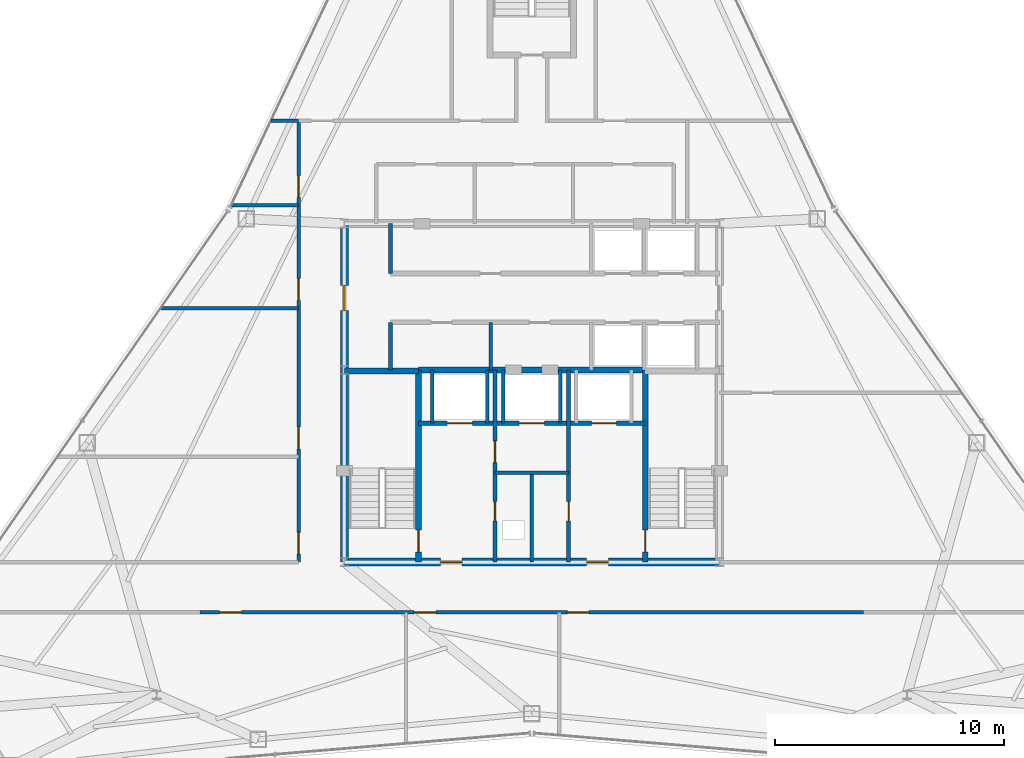
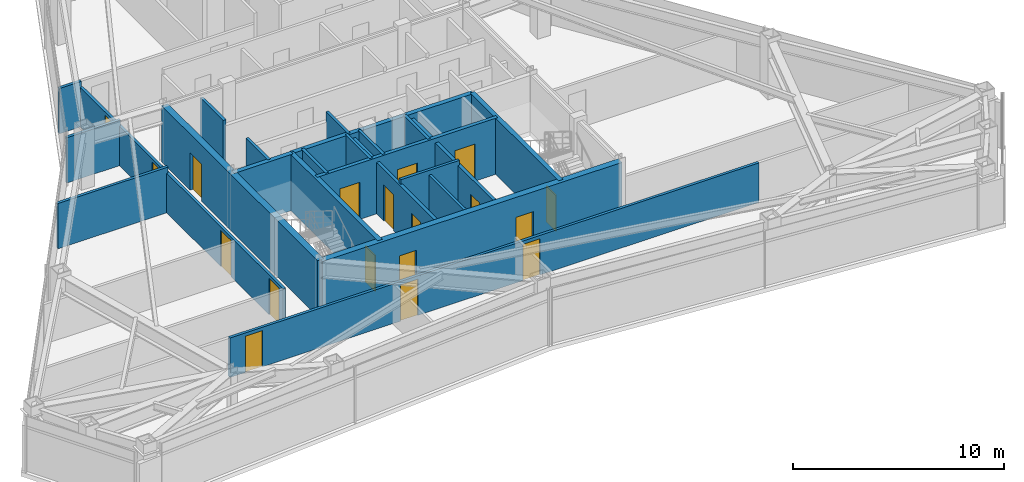
# One storey, part 9 of 12: 23 walls, 18 doors, 18 openings.
"""IFC4 building model written with IfcOpenShell, lengths in metres."""

from ifc_helpers import new_model, si_unit, direction, frame, frame_2d, origin, place, context, subcontext, project, spatial, rectangle, extrude, material, layer, layer_set, type_object, element, fill, save


model = new_model("IFC4")

# Units and contexts
model_context = context("Model", 3, precision=1e-05, world=origin(), true_north=direction((0.0, 1.0)))
body_context = subcontext(model_context, "Body", "Model", "MODEL_VIEW")
ifc_project = project(units=[si_unit("LENGTHUNIT", "METRE"), si_unit("AREAUNIT", "SQUARE_METRE"), si_unit("VOLUMEUNIT", "CUBIC_METRE"), si_unit("PLANEANGLEUNIT", "RADIAN"), si_unit("MASSUNIT", "GRAM", prefix="KILO")], contexts=[model_context])

# Site, building, storey
site_placement = place(None, origin())
site = spatial("IfcSite", under=ifc_project, at=site_placement, CompositionType="ELEMENT")
building_placement = place(site_placement, origin())
building = spatial("IfcBuilding", under=site, at=building_placement, Name="Varakhsha Concourse Tower", CompositionType="ELEMENT")
storey_placement = place(building_placement, frame((0.0, 0.0, 229.39990234375)))
storey = spatial("IfcBuildingStorey", under=building, at=storey_placement, Name="L65", CompositionType="ELEMENT", Elevation=229.39990234375)

# Wall, openings, doors
ifc_material_1 = material(Name="Concrete fc 65 MPa", Category="concrete")
ifc_layer_1 = layer(ifc_material_1, 0.35009765625, Name="WL-CORE-350")
ifc_layer_set_1 = layer_set([ifc_layer_1], Name="Concrete fc 65 MPa")
wall_type_1 = type_object("IfcWallType", Name="WL-CORE-350", PredefinedType="SHEAR", material=ifc_layer_set_1)
wall_1_placement = place(storey_placement, frame((31.800048828125, 16.39990234375, 0.0), z_axis=(0.0, 0.0, 1.0), x_axis=(1.0, 0.0, 0.0)))
wall_1 = element("IfcWall", 1, at=wall_1_placement, inside=storey, type_object=wall_type_1, Name="L65 Wall CWALL-S-L65", PredefinedType="SHEAR", context=body_context, shape_type="SweptSolid", body=[
    extrude(rectangle(XDim=16.39990234375, YDim=0.35009765625, at=frame_2d((8.199951171875, 0.0))), origin(), (0.0, 0.0, 1.0), 3.25),
])
opening_1_placement = place(wall_1_placement, frame((4.199951171875, 0.0, 0.0)))
opening_1 = element("IfcOpeningElement", 2, at=opening_1_placement, cuts=wall_1, Name="Opening DF-05", PredefinedType="OPENING", context=body_context, shape_type="SweptSolid", body=[
    extrude(rectangle(XDim=0.949951171875, YDim=2.10009765625, at=frame_2d((0.47509765625, 1.050048828125))), frame((0.0, 0.18505859375, 0.0), z_axis=(0.0, -1.0, 0.0), x_axis=(1.0, 0.0, 0.0)), (0.0, 0.0, 1.0), 0.3701171875),
])
opening_2_placement = place(wall_1_placement, frame((10.60009765625, 0.0, 0.0)))
opening_2 = element("IfcOpeningElement", 3, at=opening_2_placement, cuts=wall_1, Name="Opening DF-05", PredefinedType="OPENING", context=body_context, shape_type="SweptSolid", body=[
    extrude(rectangle(XDim=0.949951171875, YDim=2.10009765625, at=frame_2d((0.47509765625, 1.050048828125))), frame((0.0, 0.18505859375, 0.0), z_axis=(0.0, -1.0, 0.0), x_axis=(1.0, 0.0, 0.0)), (0.0, 0.0, 1.0), 0.3701171875),
])
ifc_material_2 = material(Name="Hollow Galvanised Steel Fire Door Assembly", Category="steel")
door_type_1 = type_object("IfcDoorType", Name="DR-FD60-950", OperationType="NOTDEFINED", PredefinedType="DOOR", material=ifc_material_2)
door_1_placement = place(opening_1_placement, origin())
door_1 = element("IfcDoor", 4, at=door_1_placement, inside=storey, type_object=door_type_1, Name="L65 Firefighting Lobby West Door", OperationType="SINGLE_SWING_RIGHT", OverallHeight=2.10009765625, OverallWidth=0.949951171875, PredefinedType="DOOR", context=body_context, shape_type="SweptSolid", body=[
    extrude(rectangle(XDim=0.949951171875, YDim=2.10009765625, at=frame_2d((0.47509765625, 1.050048828125))), frame((0.0, 0.02490234375, 0.0), z_axis=(0.0, -1.0, 0.0), x_axis=(1.0, 0.0, 0.0)), (0.0, 0.0, 1.0), 0.050048828125),
])
fill(opening_1, door_1)
door_2_placement = place(opening_2_placement, origin())
door_2 = element("IfcDoor", 5, at=door_2_placement, inside=storey, type_object=door_type_1, Name="L65 Firefighting Lobby East Door", OperationType="SINGLE_SWING_LEFT", OverallHeight=2.10009765625, OverallWidth=0.949951171875, PredefinedType="DOOR", context=body_context, shape_type="SweptSolid", body=[
    extrude(rectangle(XDim=0.949951171875, YDim=2.10009765625, at=frame_2d((0.47509765625, 1.050048828125))), frame((0.0, 0.02490234375, 0.0), z_axis=(0.0, -1.0, 0.0), x_axis=(1.0, 0.0, 0.0)), (0.0, 0.0, 1.0), 0.050048828125),
])
fill(opening_2, door_2)

# Wall, opening, door
wall_2_placement = place(storey_placement, frame((31.800048828125, 16.39990234375, 0.0), z_axis=(0.0, 0.0, 1.0), x_axis=(0.0, 1.0, 0.0)))
wall_2 = element("IfcWall", 6, at=wall_2_placement, inside=storey, type_object=wall_type_1, Name="L65 Wall CWALL-W-L65", PredefinedType="SHEAR", context=body_context, shape_type="SweptSolid", body=[
    extrude(rectangle(XDim=14.800048828125, YDim=0.35009765625, at=frame_2d((7.39990234375, 0.0))), origin(), (0.0, 0.0, 1.0), 3.25),
])
opening_3_placement = place(wall_2_placement, frame((11.0, 0.0, 0.0)))
opening_3 = element("IfcOpeningElement", 7, at=opening_3_placement, cuts=wall_2, Name="Opening DL-01", PredefinedType="OPENING", context=body_context, shape_type="SweptSolid", body=[
    extrude(rectangle(XDim=1.10009765625, YDim=2.14990234375, at=frame_2d((0.550048828125, 1.074951171875))), frame((0.0, 0.18505859375, 0.0), z_axis=(0.0, -1.0, 0.0), x_axis=(1.0, 0.0, 0.0)), (0.0, 0.0, 1.0), 0.3701171875),
])
ifc_material_3 = material(Name="Anodised Bronze Architectural Aluminium AA 6063-T6", Category="aluminium")
door_type_2 = type_object("IfcDoorType", Name="DR-LOB-1100", OperationType="NOTDEFINED", PredefinedType="DOOR", material=ifc_material_3)
door_3_placement = place(opening_3_placement, origin())
door_3 = element("IfcDoor", 8, at=door_3_placement, inside=storey, type_object=door_type_2, Name="L65 Lift Lobby West Concourse Door", OperationType="SINGLE_SWING_LEFT", OverallHeight=2.14990234375, OverallWidth=1.10009765625, PredefinedType="DOOR", context=body_context, shape_type="SweptSolid", body=[
    extrude(rectangle(XDim=1.10009765625, YDim=2.14990234375, at=frame_2d((0.550048828125, 1.074951171875))), frame((0.0, 0.02490234375, 0.0), z_axis=(0.0, -1.0, 0.0), x_axis=(1.0, 0.0, 0.0)), (0.0, 0.0, 1.0), 0.050048828125),
])
fill(opening_3, door_3)

# Wall, openings, doors
ifc_material_4 = material(Name="Fire-Rated Type X Gypsum Partition Assembly", Category="gypsum")
ifc_layer_2 = layer(ifc_material_4, 0.179931640625, Name="WL-FFLOB-180")
ifc_layer_set_2 = layer_set([ifc_layer_2], Name="Fire-Rated Type X Gypsum Partition Assembly")
wall_type_2 = type_object("IfcWallType", Name="WL-FFLOB-180", PredefinedType="PARTITIONING", material=ifc_layer_set_2)
wall_3_placement = place(storey_placement, frame((38.389892578125, 16.39990234375, 0.0), z_axis=(0.0, 0.0, 1.0), x_axis=(0.0, 1.0, 0.0)))
wall_3 = element("IfcWall", 9, at=wall_3_placement, inside=storey, type_object=wall_type_2, Name="L65 Wall FFW-1E-L65", PredefinedType="PARTITIONING", context=body_context, shape_type="SweptSolid", body=[
    extrude(rectangle(XDim=8.400146484375, YDim=0.179931640625, at=frame_2d((4.2001953125, 0.0))), origin(), (0.0, 0.0, 1.0), 2.97802734375),
])
opening_4_placement = place(wall_3_placement, frame((1.800048828125, 0.0, 0.0)))
opening_4 = element("IfcOpeningElement", 10, at=opening_4_placement, cuts=wall_3, Name="Opening DF-07", PredefinedType="OPENING", context=body_context, shape_type="SweptSolid", body=[
    extrude(rectangle(XDim=0.85009765625, YDim=2.050048828125, at=frame_2d((0.425048828125, 1.02490234375))), frame((0.0, 0.099853515625, 0.0), z_axis=(0.0, -1.0, 0.0), x_axis=(1.0, 0.0, 0.0)), (0.0, 0.0, 1.0), 0.199951171875),
])
opening_5_placement = place(wall_3_placement, frame((4.35009765625, 0.0, 0.0)))
opening_5 = element("IfcOpeningElement", 11, at=opening_5_placement, cuts=wall_3, Name="Opening DF-05", PredefinedType="OPENING", context=body_context, shape_type="SweptSolid", body=[
    extrude(rectangle(XDim=0.949951171875, YDim=2.10009765625, at=frame_2d((0.47509765625, 1.050048828125))), frame((0.0, 0.099853515625, 0.0), z_axis=(0.0, -1.0, 0.0), x_axis=(1.0, 0.0, 0.0)), (0.0, 0.0, 1.0), 0.199951171875),
])
door_type_3 = type_object("IfcDoorType", Name="DR-FD60-850", OperationType="NOTDEFINED", PredefinedType="DOOR", material=ifc_material_2)
door_4_placement = place(opening_4_placement, origin())
door_4 = element("IfcDoor", 12, at=door_4_placement, inside=storey, type_object=door_type_3, Name="L65 Power Metering Closet Door", OperationType="SINGLE_SWING_LEFT", OverallHeight=2.050048828125, OverallWidth=0.85009765625, PredefinedType="DOOR", context=body_context, shape_type="SweptSolid", body=[
    extrude(rectangle(XDim=0.85009765625, YDim=2.050048828125, at=frame_2d((0.425048828125, 1.02490234375))), frame((0.0, 0.02490234375, 0.0), z_axis=(0.0, -1.0, 0.0), x_axis=(1.0, 0.0, 0.0)), (0.0, 0.0, 1.0), 0.050048828125),
])
fill(opening_4, door_4)
door_5_placement = place(opening_5_placement, origin())
door_5 = element("IfcDoor", 13, at=door_5_placement, inside=storey, type_object=door_type_1, Name="L65 Service Vestibule Door", OperationType="SINGLE_SWING_RIGHT", OverallHeight=2.10009765625, OverallWidth=0.949951171875, PredefinedType="DOOR", context=body_context, shape_type="SweptSolid", body=[
    extrude(rectangle(XDim=0.949951171875, YDim=2.10009765625, at=frame_2d((0.47509765625, 1.050048828125))), frame((0.0, 0.02490234375, 0.0), z_axis=(0.0, -1.0, 0.0), x_axis=(1.0, 0.0, 0.0)), (0.0, 0.0, 1.0), 0.050048828125),
])
fill(opening_5, door_5)

# Wall, opening, door
wall_4_placement = place(storey_placement, frame((41.610107421875, 16.39990234375, 0.0), z_axis=(0.0, 0.0, 1.0), x_axis=(0.0, 1.0, 0.0)))
wall_4 = element("IfcWall", 14, at=wall_4_placement, inside=storey, type_object=wall_type_2, Name="L65 Wall FFW-2W-L65", PredefinedType="PARTITIONING", context=body_context, shape_type="SweptSolid", body=[
    extrude(rectangle(XDim=8.400146484375, YDim=0.179931640625, at=frame_2d((4.2001953125, 0.0))), origin(), (0.0, 0.0, 1.0), 2.97802734375),
])
opening_6_placement = place(wall_4_placement, frame((1.800048828125, 0.0, 0.0)))
opening_6 = element("IfcOpeningElement", 15, at=opening_6_placement, cuts=wall_4, Name="Opening DF-07", PredefinedType="OPENING", context=body_context, shape_type="SweptSolid", body=[
    extrude(rectangle(XDim=0.85009765625, YDim=2.050048828125, at=frame_2d((0.425048828125, 1.02490234375))), frame((0.0, 0.099853515625, 0.0), z_axis=(0.0, -1.0, 0.0), x_axis=(1.0, 0.0, 0.0)), (0.0, 0.0, 1.0), 0.199951171875),
])
door_6_placement = place(opening_6_placement, origin())
door_6 = element("IfcDoor", 16, at=door_6_placement, inside=storey, type_object=door_type_3, Name="L65 BMS Control Closet Door", OperationType="SINGLE_SWING_RIGHT", OverallHeight=2.050048828125, OverallWidth=0.85009765625, PredefinedType="DOOR", context=body_context, shape_type="SweptSolid", body=[
    extrude(rectangle(XDim=0.85009765625, YDim=2.050048828125, at=frame_2d((0.425048828125, 1.02490234375))), frame((0.0, 0.02490234375, 0.0), z_axis=(0.0, -1.0, 0.0), x_axis=(1.0, 0.0, 0.0)), (0.0, 0.0, 1.0), 0.050048828125),
])
fill(opening_6, door_6)

# Walls
ifc_layer_3 = layer(ifc_material_4, 0.14990234375, Name="WL-PART-150")
ifc_layer_set_3 = layer_set([ifc_layer_3], Name="Fire-Rated Type X Gypsum Partition Assembly")
wall_type_3 = type_object("IfcWallType", Name="WL-PART-150", PredefinedType="PARTITIONING", material=ifc_layer_set_3)
wall_5_placement = place(storey_placement, frame((38.389892578125, 20.300048828125, 0.0), z_axis=(0.0, 0.0, 1.0), x_axis=(1.0, 0.0, 0.0)))
element("IfcWall", 17, at=wall_5_placement, inside=storey, type_object=wall_type_3, Name="L65 Wall RSW-TH-L65", PredefinedType="PARTITIONING", context=body_context, shape_type="SweptSolid", body=[
    extrude(rectangle(XDim=3.22021484375, YDim=0.14990234375, at=frame_2d((1.610107421875, 0.0))), origin(), (0.0, 0.0, 1.0), 3.25),
])
wall_6_placement = place(storey_placement, frame((40.0, 16.39990234375, 0.0), z_axis=(0.0, 0.0, 1.0), x_axis=(0.0, 1.0, 0.0)))
element("IfcWall", 18, at=wall_6_placement, inside=storey, type_object=wall_type_3, Name="L65 Wall RSW-TV-L65", PredefinedType="PARTITIONING", context=body_context, shape_type="SweptSolid", body=[
    extrude(rectangle(XDim=3.900146484375, YDim=0.14990234375, at=frame_2d((1.9501953125, 0.0))), origin(), (0.0, 0.0, 1.0), 2.97802734375),
])
wall_7_placement = place(storey_placement, frame((38.199951171875, 24.800048828125, 0.0), z_axis=(0.0, 0.0, 1.0), x_axis=(0.0, 1.0, 0.0)))
element("IfcWall", 19, at=wall_7_placement, inside=storey, type_object=wall_type_3, Name="L65 Wall P2F-D1-L65", PredefinedType="PARTITIONING", context=body_context, shape_type="SweptSolid", body=[
    extrude(rectangle(XDim=2.079833984375, YDim=0.14990234375, at=frame_2d((1.0400390625, 0.0))), origin(), (0.0, 0.0, 1.0), 3.25),
])

# Wall, openings, doors
wall_8_placement = place(storey_placement, frame((29.800048828125, 16.39990234375, 0.0), z_axis=(0.0, 0.0, 1.0), x_axis=(0.0, 1.0, 0.0)))
wall_8 = element("IfcWall", 20, at=wall_8_placement, inside=storey, type_object=wall_type_3, Name="L65 Wall CRW-W-L65", PredefinedType="PARTITIONING", context=body_context, shape_type="SweptSolid", body=[
    extrude(rectangle(XDim=19.300048828125, YDim=0.14990234375, at=frame_2d((9.64990234375, 0.0))), origin(), (0.0, 0.0, 1.0), 2.2919921875),
])
opening_7_placement = place(wall_8_placement, frame((0.35009765625, 0.0, 0.0)))
opening_7 = element("IfcOpeningElement", 21, at=opening_7_placement, cuts=wall_8, Name="Opening DF-05", PredefinedType="OPENING", context=body_context, shape_type="SweptSolid", body=[
    extrude(rectangle(XDim=0.949951171875, YDim=2.10009765625, at=frame_2d((0.47509765625, 1.050048828125))), frame((0.0, 0.0849609375, 0.0), z_axis=(0.0, -1.0, 0.0), x_axis=(1.0, 0.0, 0.0)), (0.0, 0.0, 1.0), 0.169921875),
])
opening_8_placement = place(wall_8_placement, frame((4.949951171875, 0.0, 0.0)))
opening_8 = element("IfcOpeningElement", 22, at=opening_8_placement, cuts=wall_8, Name="Opening DF-05", PredefinedType="OPENING", context=body_context, shape_type="SweptSolid", body=[
    extrude(rectangle(XDim=0.949951171875, YDim=2.10009765625, at=frame_2d((0.47509765625, 1.050048828125))), frame((0.0, 0.0849609375, 0.0), z_axis=(0.0, -1.0, 0.0), x_axis=(1.0, 0.0, 0.0)), (0.0, 0.0, 1.0), 0.169921875),
])
opening_9_placement = place(wall_8_placement, frame((11.449951171875, 0.0, 0.0)))
opening_9 = element("IfcOpeningElement", 23, at=opening_9_placement, cuts=wall_8, Name="Opening DF-05", PredefinedType="OPENING", context=body_context, shape_type="SweptSolid", body=[
    extrude(rectangle(XDim=0.949951171875, YDim=2.10009765625, at=frame_2d((0.47509765625, 1.050048828125))), frame((0.0, 0.0849609375, 0.0), z_axis=(0.0, -1.0, 0.0), x_axis=(1.0, 0.0, 0.0)), (0.0, 0.0, 1.0), 0.169921875),
])
opening_10_placement = place(wall_8_placement, frame((15.949951171875, 0.0, 0.0)))
opening_10 = element("IfcOpeningElement", 24, at=opening_10_placement, cuts=wall_8, Name="Opening DF-05", PredefinedType="OPENING", context=body_context, shape_type="SweptSolid", body=[
    extrude(rectangle(XDim=0.949951171875, YDim=2.10009765625, at=frame_2d((0.47509765625, 1.050048828125))), frame((0.0, 0.0849609375, 0.0), z_axis=(0.0, -1.0, 0.0), x_axis=(1.0, 0.0, 0.0)), (0.0, 0.0, 1.0), 0.169921875),
])
door_7_placement = place(opening_7_placement, origin())
door_7 = element("IfcDoor", 25, at=door_7_placement, inside=storey, type_object=door_type_1, Name="L65 Town-Hall Innovation Lounge L65 Door", OperationType="SINGLE_SWING_RIGHT", OverallHeight=2.10009765625, OverallWidth=0.949951171875, PredefinedType="DOOR", context=body_context, shape_type="SweptSolid", body=[
    extrude(rectangle(XDim=0.949951171875, YDim=2.10009765625, at=frame_2d((0.47509765625, 1.050048828125))), frame((0.0, 0.02490234375, 0.0), z_axis=(0.0, -1.0, 0.0), x_axis=(1.0, 0.0, 0.0)), (0.0, 0.0, 1.0), 0.050048828125),
])
fill(opening_7, door_7)
door_8_placement = place(opening_8_placement, origin())
door_8 = element("IfcDoor", 26, at=door_8_placement, inside=storey, type_object=door_type_1, Name="L65 Hot-Desk Studio Neighborhood L65-W2 Door", OperationType="SINGLE_SWING_LEFT", OverallHeight=2.10009765625, OverallWidth=0.949951171875, PredefinedType="DOOR", context=body_context, shape_type="SweptSolid", body=[
    extrude(rectangle(XDim=0.949951171875, YDim=2.10009765625, at=frame_2d((0.47509765625, 1.050048828125))), frame((0.0, 0.02490234375, 0.0), z_axis=(0.0, -1.0, 0.0), x_axis=(1.0, 0.0, 0.0)), (0.0, 0.0, 1.0), 0.050048828125),
])
fill(opening_8, door_8)
door_9_placement = place(opening_9_placement, origin())
door_9 = element("IfcDoor", 27, at=door_9_placement, inside=storey, type_object=door_type_1, Name="L65 Hot-Desk Studio Neighborhood L65-W3 Door", OperationType="SINGLE_SWING_RIGHT", OverallHeight=2.10009765625, OverallWidth=0.949951171875, PredefinedType="DOOR", context=body_context, shape_type="SweptSolid", body=[
    extrude(rectangle(XDim=0.949951171875, YDim=2.10009765625, at=frame_2d((0.47509765625, 1.050048828125))), frame((0.0, 0.02490234375, 0.0), z_axis=(0.0, -1.0, 0.0), x_axis=(1.0, 0.0, 0.0)), (0.0, 0.0, 1.0), 0.050048828125),
])
fill(opening_9, door_9)
door_10_placement = place(opening_10_placement, origin())
door_10 = element("IfcDoor", 28, at=door_10_placement, inside=storey, type_object=door_type_1, Name="L65 Hot-Desk Studio Neighborhood L65-W4 Door", OperationType="SINGLE_SWING_LEFT", OverallHeight=2.10009765625, OverallWidth=0.949951171875, PredefinedType="DOOR", context=body_context, shape_type="SweptSolid", body=[
    extrude(rectangle(XDim=0.949951171875, YDim=2.10009765625, at=frame_2d((0.47509765625, 1.050048828125))), frame((0.0, 0.02490234375, 0.0), z_axis=(0.0, -1.0, 0.0), x_axis=(1.0, 0.0, 0.0)), (0.0, 0.0, 1.0), 0.050048828125),
])
fill(opening_10, door_10)

wall_9_placement = place(storey_placement, frame((25.5, 14.199951171875, 0.0), z_axis=(0.0, 0.0, 1.0), x_axis=(1.0, 0.0, 0.0)))
wall_9 = element("IfcWall", 29, at=wall_9_placement, inside=storey, type_object=wall_type_3, Name="L65 Wall CRW-S-DOOR-L65", PredefinedType="PARTITIONING", context=body_context, shape_type="SweptSolid", body=[
    extrude(rectangle(XDim=29.0, YDim=0.14990234375, at=frame_2d((14.5, 0.0))), origin(), (0.0, 0.0, 1.0), 2.2919921875),
])
opening_11_placement = place(wall_9_placement, frame((0.85009765625, 0.0, 0.0)))
opening_11 = element("IfcOpeningElement", 30, at=opening_11_placement, cuts=wall_9, Name="Opening DF-05", PredefinedType="OPENING", context=body_context, shape_type="SweptSolid", body=[
    extrude(rectangle(XDim=0.949951171875, YDim=2.10009765625, at=frame_2d((0.47509765625, 1.050048828125))), frame((0.0, 0.0849609375, 0.0), z_axis=(0.0, -1.0, 0.0), x_axis=(1.0, 0.0, 0.0)), (0.0, 0.0, 1.0), 0.169921875),
])
opening_12_placement = place(wall_9_placement, frame((9.35009765625, 0.0, 0.0)))
opening_12 = element("IfcOpeningElement", 31, at=opening_12_placement, cuts=wall_9, Name="Opening DF-05", PredefinedType="OPENING", context=body_context, shape_type="SweptSolid", body=[
    extrude(rectangle(XDim=0.949951171875, YDim=2.10009765625, at=frame_2d((0.47509765625, 1.050048828125))), frame((0.0, 0.0849609375, 0.0), z_axis=(0.0, -1.0, 0.0), x_axis=(1.0, 0.0, 0.0)), (0.0, 0.0, 1.0), 0.169921875),
])
opening_13_placement = place(wall_9_placement, frame((16.050048828125, 0.0, 0.0)))
opening_13 = element("IfcOpeningElement", 32, at=opening_13_placement, cuts=wall_9, Name="Opening DF-05", PredefinedType="OPENING", context=body_context, shape_type="SweptSolid", body=[
    extrude(rectangle(XDim=0.949951171875, YDim=2.10009765625, at=frame_2d((0.47509765625, 1.050048828125))), frame((0.0, 0.0849609375, 0.0), z_axis=(0.0, -1.0, 0.0), x_axis=(1.0, 0.0, 0.0)), (0.0, 0.0, 1.0), 0.169921875),
])
door_11_placement = place(opening_11_placement, origin())
door_11 = element("IfcDoor", 33, at=door_11_placement, inside=storey, type_object=door_type_1, Name="L65 Project Pitch Room L65-S1 Door", OperationType="SINGLE_SWING_LEFT", OverallHeight=2.10009765625, OverallWidth=0.949951171875, PredefinedType="DOOR", context=body_context, shape_type="SweptSolid", body=[
    extrude(rectangle(XDim=0.949951171875, YDim=2.10009765625, at=frame_2d((0.47509765625, 1.050048828125))), frame((0.0, 0.02490234375, 0.0), z_axis=(0.0, -1.0, 0.0), x_axis=(1.0, 0.0, 0.0)), (0.0, 0.0, 1.0), 0.050048828125),
])
fill(opening_11, door_11)
door_12_placement = place(opening_12_placement, origin())
door_12 = element("IfcDoor", 34, at=door_12_placement, inside=storey, type_object=door_type_1, Name="L65 Hot-Desk Studio Neighborhood L65-S2 Door", OperationType="SINGLE_SWING_RIGHT", OverallHeight=2.10009765625, OverallWidth=0.949951171875, PredefinedType="DOOR", context=body_context, shape_type="SweptSolid", body=[
    extrude(rectangle(XDim=0.949951171875, YDim=2.10009765625, at=frame_2d((0.47509765625, 1.050048828125))), frame((0.0, 0.02490234375, 0.0), z_axis=(0.0, -1.0, 0.0), x_axis=(1.0, 0.0, 0.0)), (0.0, 0.0, 1.0), 0.050048828125),
])
fill(opening_12, door_12)
door_13_placement = place(opening_13_placement, origin())
door_13 = element("IfcDoor", 35, at=door_13_placement, inside=storey, type_object=door_type_1, Name="L65 Hot-Desk Studio Neighborhood L65-S3 Door", OperationType="SINGLE_SWING_LEFT", OverallHeight=2.10009765625, OverallWidth=0.949951171875, PredefinedType="DOOR", context=body_context, shape_type="SweptSolid", body=[
    extrude(rectangle(XDim=0.949951171875, YDim=2.10009765625, at=frame_2d((0.47509765625, 1.050048828125))), frame((0.0, 0.02490234375, 0.0), z_axis=(0.0, -1.0, 0.0), x_axis=(1.0, 0.0, 0.0)), (0.0, 0.0, 1.0), 0.050048828125),
])
fill(opening_13, door_13)

# Walls
wall_10_placement = place(storey_placement, frame((28.59814453125, 35.699951171875, 0.0), z_axis=(0.0, 0.0, 1.0), x_axis=(1.0, 0.0, 0.0)))
element("IfcWall", 36, at=wall_10_placement, inside=storey, type_object=wall_type_3, Name="L65 Wall ODIV-WBN-L65", PredefinedType="PARTITIONING", context=body_context, shape_type="SweptSolid", body=[
    extrude(rectangle(XDim=1.201904296875, YDim=0.14990234375, at=frame_2d((0.60107421875, 0.0))), origin(), (0.0, 0.0, 1.0), 2.628173828125),
])
wall_11_placement = place(storey_placement, frame((23.767333984375, 27.5, 0.0), z_axis=(0.0, 0.0, 1.0), x_axis=(1.0, 0.0, 0.0)))
element("IfcWall", 37, at=wall_11_placement, inside=storey, type_object=wall_type_3, Name="L65 Wall ODIV-W2-L65", PredefinedType="PARTITIONING", context=body_context, shape_type="SweptSolid", body=[
    extrude(rectangle(XDim=6.03271484375, YDim=0.14990234375, at=frame_2d((3.016357421875, 0.0))), origin(), (0.0, 0.0, 1.0), 2.628173828125),
])
wall_12_placement = place(storey_placement, frame((26.85498046875, 32.0, 0.0), z_axis=(0.0, 0.0, 1.0), x_axis=(1.0, 0.0, 0.0)))
element("IfcWall", 38, at=wall_12_placement, inside=storey, type_object=wall_type_3, Name="L65 Wall ODIV-W3-L65", PredefinedType="PARTITIONING", context=body_context, shape_type="SweptSolid", body=[
    extrude(rectangle(XDim=2.945068359375, YDim=0.14990234375, at=frame_2d((1.47265625, 0.0))), origin(), (0.0, 0.0, 1.0), 2.628173828125),
])

# Wall, openings, doors
ifc_layer_4 = layer(ifc_material_4, 0.199951171875, Name="WL-SHAFT-220")
ifc_layer_set_4 = layer_set([ifc_layer_4], Name="Fire-Rated Type X Gypsum Partition Assembly")
wall_type_4 = type_object("IfcWallType", Name="WL-SHAFT-220", PredefinedType="SOLIDWALL", material=ifc_layer_set_4)
wall_13_placement = place(storey_placement, frame((35.044921875, 22.47998046875, 0.0), z_axis=(0.0, 0.0, 1.0), x_axis=(1.0, 0.0, 0.0)))
wall_13 = element("IfcWall", 39, at=wall_13_placement, inside=storey, type_object=wall_type_4, Name="L65 Wall FFW-NH-L65", PredefinedType="SOLIDWALL", context=body_context, shape_type="SweptSolid", body=[
    extrude(rectangle(XDim=9.91015625, YDim=0.199951171875, at=frame_2d((4.955078125, 0.0))), origin(), (0.0, 0.0, 1.0), 3.25),
])
opening_14_placement = place(wall_13_placement, frame((1.2548828125, 0.0, 0.0)))
opening_14 = element("IfcOpeningElement", 40, at=opening_14_placement, cuts=wall_13, Name="Opening LD-FFL-1", PredefinedType="OPENING", context=body_context, shape_type="SweptSolid", body=[
    extrude(rectangle(XDim=1.10009765625, YDim=2.14990234375, at=frame_2d((0.550048828125, 1.074951171875))), frame((0.0, 0.10986328125, 0.0), z_axis=(0.0, -1.0, 0.0), x_axis=(1.0, 0.0, 0.0)), (0.0, 0.0, 1.0), 0.219970703125),
])
opening_15_placement = place(wall_13_placement, frame((7.554931640625, 0.0, 0.0)))
opening_15 = element("IfcOpeningElement", 41, at=opening_15_placement, cuts=wall_13, Name="Opening LD-FFL-2", PredefinedType="OPENING", context=body_context, shape_type="SweptSolid", body=[
    extrude(rectangle(XDim=1.10009765625, YDim=2.14990234375, at=frame_2d((0.550048828125, 1.074951171875))), frame((0.0, 0.10986328125, 0.0), z_axis=(0.0, -1.0, 0.0), x_axis=(1.0, 0.0, 0.0)), (0.0, 0.0, 1.0), 0.219970703125),
])
opening_16_placement = place(wall_13_placement, frame((4.405029296875, 0.0, 0.0)))
opening_16 = element("IfcOpeningElement", 42, at=opening_16_placement, cuts=wall_13, Name="Opening LD-SVL-1", PredefinedType="OPENING", context=body_context, shape_type="SweptSolid", body=[
    extrude(rectangle(XDim=1.10009765625, YDim=2.14990234375, at=frame_2d((0.550048828125, 1.074951171875))), frame((0.0, 0.10986328125, 0.0), z_axis=(0.0, -1.0, 0.0), x_axis=(1.0, 0.0, 0.0)), (0.0, 0.0, 1.0), 0.219970703125),
])
ifc_material_5 = material(Name="Brushed Austenitic Stainless Steel AISI 316", Category="steel")
door_type_4 = type_object("IfcDoorType", Name="DR-LD-1100", OperationType="DOUBLE_DOOR_SLIDING", PredefinedType="DOOR", material=ifc_material_5)
door_14_placement = place(opening_14_placement, origin())
door_14 = element("IfcDoor", 43, at=door_14_placement, inside=storey, type_object=door_type_4, Name="Lift Landing Door FFL-1 L65", OperationType="DOUBLE_DOOR_SLIDING", OverallHeight=2.14990234375, OverallWidth=1.10009765625, PredefinedType="DOOR", context=body_context, shape_type="SweptSolid", body=[
    extrude(rectangle(XDim=1.10009765625, YDim=2.14990234375, at=frame_2d((0.550048828125, 1.074951171875))), frame((0.0, 0.02490234375, 0.0), z_axis=(0.0, -1.0, 0.0), x_axis=(1.0, 0.0, 0.0)), (0.0, 0.0, 1.0), 0.050048828125),
])
fill(opening_14, door_14)
door_15_placement = place(opening_15_placement, origin())
door_15 = element("IfcDoor", 44, at=door_15_placement, inside=storey, type_object=door_type_4, Name="Lift Landing Door FFL-2 L65", OperationType="DOUBLE_DOOR_SLIDING", OverallHeight=2.14990234375, OverallWidth=1.10009765625, PredefinedType="DOOR", context=body_context, shape_type="SweptSolid", body=[
    extrude(rectangle(XDim=1.10009765625, YDim=2.14990234375, at=frame_2d((0.550048828125, 1.074951171875))), frame((0.0, 0.02490234375, 0.0), z_axis=(0.0, -1.0, 0.0), x_axis=(1.0, 0.0, 0.0)), (0.0, 0.0, 1.0), 0.050048828125),
])
fill(opening_15, door_15)
door_16_placement = place(opening_16_placement, origin())
door_16 = element("IfcDoor", 45, at=door_16_placement, inside=storey, type_object=door_type_4, Name="Lift Landing Door SVL-1 L65", OperationType="DOUBLE_DOOR_SLIDING", OverallHeight=2.14990234375, OverallWidth=1.10009765625, PredefinedType="DOOR", context=body_context, shape_type="SweptSolid", body=[
    extrude(rectangle(XDim=1.10009765625, YDim=2.14990234375, at=frame_2d((0.550048828125, 1.074951171875))), frame((0.0, 0.02490234375, 0.0), z_axis=(0.0, -1.0, 0.0), x_axis=(1.0, 0.0, 0.0)), (0.0, 0.0, 1.0), 0.050048828125),
])
fill(opening_16, door_16)

# Walls
for number, where, z_axis, x_axis, name in (
    (46, (35.64990234375, 22.47998046875, 0.0), (0.0, 0.0, 1.0), (0.0, 1.0, 0.0), "L65 Wall SHW-FFL-1-W-L65"),
    (47, (38.050048828125, 22.47998046875, 0.0), (0.0, 0.0, 1.0), (0.0, 1.0, 0.0), "L65 Wall SHW-FFL-1-E-L65"),
    (48, (38.75, 22.47998046875, 0.0), (0.0, 0.0, 1.0), (0.0, 1.0, 0.0), "L65 Wall SHW-SVL-1-W-L65"),
    (49, (41.25, 22.47998046875, 0.0), (0.0, 0.0, 1.0), (0.0, 1.0, 0.0), "L65 Wall SHW-SVL-1-E-L65"),
):
    element("IfcWall", number, at=place(storey_placement, frame(where, z_axis=z_axis, x_axis=x_axis)), inside=storey, type_object=wall_type_4, Name=name, PredefinedType="SOLIDWALL", context=body_context, shape_type="SweptSolid", body=[
        extrude(rectangle(XDim=2.320068359375, YDim=0.159912109375, at=frame_2d((1.16015625, 0.0))), origin(), (0.0, 0.0, 1.0), 3.25),
    ])
wall_14_placement = place(storey_placement, frame((33.820068359375, 29.02001953125, 0.0), z_axis=(0.0, 0.0, 1.0), x_axis=(0.0, 1.0, 0.0)))
element("IfcWall", 50, at=wall_14_placement, inside=storey, type_object=wall_type_4, Name="L65 Wall WBOH-E1-L65", PredefinedType="SOLIDWALL", context=body_context, shape_type="SweptSolid", body=[
    extrude(rectangle(XDim=2.179931640625, YDim=0.159912109375, at=frame_2d((1.08984375, 0.0))), origin(), (0.0, 0.0, 1.0), 2.97802734375),
])
wall_15_placement = place(storey_placement, frame((33.820068359375, 24.800048828125, 0.0), z_axis=(0.0, 0.0, 1.0), x_axis=(0.0, 1.0, 0.0)))
element("IfcWall", 51, at=wall_15_placement, inside=storey, type_object=wall_type_4, Name="L65 Wall WBOH-E2-L65", PredefinedType="SOLIDWALL", context=body_context, shape_type="SweptSolid", body=[
    extrude(rectangle(XDim=2.079833984375, YDim=0.159912109375, at=frame_2d((1.0400390625, 0.0))), origin(), (0.0, 0.0, 1.0), 3.25),
])

# Wall, opening, door
ifc_material_6 = material(Name="Concrete fc 45 MPa", Category="concrete")
ifc_layer_5 = layer(ifc_material_6, 0.25, Name="WL-STAIR-250")
ifc_layer_set_5 = layer_set([ifc_layer_5], Name="Concrete fc 45 MPa")
wall_type_5 = type_object("IfcWallType", Name="WL-STAIR-250", PredefinedType="SHEAR", material=ifc_layer_set_5)
wall_16_placement = place(storey_placement, frame((35.044921875, 16.39990234375, 0.0), z_axis=(0.0, 0.0, 1.0), x_axis=(0.0, 1.0, 0.0)))
wall_16 = element("IfcWall", 52, at=wall_16_placement, inside=storey, type_object=wall_type_5, Name="L65 Wall SWALL-ST1-E-L65", PredefinedType="SHEAR", context=body_context, shape_type="SweptSolid", body=[
    extrude(rectangle(XDim=8.400146484375, YDim=0.25, at=frame_2d((4.2001953125, 0.0))), origin(), (0.0, 0.0, 1.0), 3.25),
])
opening_17_placement = place(wall_16_placement, frame((0.449951171875, 0.0, 0.0)))
opening_17 = element("IfcOpeningElement", 53, at=opening_17_placement, cuts=wall_16, Name="Opening DF-03", PredefinedType="OPENING", context=body_context, shape_type="SweptSolid", body=[
    extrude(rectangle(XDim=0.949951171875, YDim=2.10009765625, at=frame_2d((0.47509765625, 1.050048828125))), frame((0.0, 0.135009765625, 0.0), z_axis=(0.0, -1.0, 0.0), x_axis=(1.0, 0.0, 0.0)), (0.0, 0.0, 1.0), 0.27001953125),
])
door_type_5 = type_object("IfcDoorType", Name="DR-FD90-950", OperationType="NOTDEFINED", PredefinedType="DOOR", material=ifc_material_2)
door_17_placement = place(opening_17_placement, origin())
door_17 = element("IfcDoor", 54, at=door_17_placement, inside=storey, type_object=door_type_5, Name="L65 Stair ST1 Fire Door", OperationType="SINGLE_SWING_LEFT", OverallHeight=2.10009765625, OverallWidth=0.949951171875, PredefinedType="DOOR", context=body_context, shape_type="SweptSolid", body=[
    extrude(rectangle(XDim=0.949951171875, YDim=2.10009765625, at=frame_2d((0.47509765625, 1.050048828125))), frame((0.0, 0.02490234375, 0.0), z_axis=(0.0, -1.0, 0.0), x_axis=(1.0, 0.0, 0.0)), (0.0, 0.0, 1.0), 0.050048828125),
])
fill(opening_17, door_17)

# Wall
wall_17_placement = place(storey_placement, frame((31.800048828125, 24.7548828125, 0.0), z_axis=(0.0, 0.0, 1.0), x_axis=(1.0, 0.0, 0.0)))
element("IfcWall", 55, at=wall_17_placement, inside=storey, type_object=wall_type_5, Name="L65 Wall SWALL-ST1-N-L65", PredefinedType="SHEAR", context=body_context, shape_type="SweptSolid", body=[
    extrude(rectangle(XDim=3.244873046875, YDim=0.25, at=frame_2d((1.62255859375, 0.0))), origin(), (0.0, 0.0, 1.0), 3.25),
])

# Wall, opening, door
wall_18_placement = place(storey_placement, frame((44.955078125, 16.39990234375, 0.0), z_axis=(0.0, 0.0, 1.0), x_axis=(0.0, 1.0, 0.0)))
wall_18 = element("IfcWall", 56, at=wall_18_placement, inside=storey, type_object=wall_type_5, Name="L65 Wall SWALL-ST2-W-L65", PredefinedType="SHEAR", context=body_context, shape_type="SweptSolid", body=[
    extrude(rectangle(XDim=8.400146484375, YDim=0.25, at=frame_2d((4.2001953125, 0.0))), origin(), (0.0, 0.0, 1.0), 3.25),
])
opening_18_placement = place(wall_18_placement, frame((0.449951171875, 0.0, 0.0)))
opening_18 = element("IfcOpeningElement", 57, at=opening_18_placement, cuts=wall_18, Name="Opening DF-03", PredefinedType="OPENING", context=body_context, shape_type="SweptSolid", body=[
    extrude(rectangle(XDim=0.949951171875, YDim=2.10009765625, at=frame_2d((0.47509765625, 1.050048828125))), frame((0.0, 0.135009765625, 0.0), z_axis=(0.0, -1.0, 0.0), x_axis=(1.0, 0.0, 0.0)), (0.0, 0.0, 1.0), 0.27001953125),
])
door_18_placement = place(opening_18_placement, origin())
door_18 = element("IfcDoor", 58, at=door_18_placement, inside=storey, type_object=door_type_5, Name="L65 Stair ST2 Fire Door", OperationType="SINGLE_SWING_RIGHT", OverallHeight=2.10009765625, OverallWidth=0.949951171875, PredefinedType="DOOR", context=body_context, shape_type="SweptSolid", body=[
    extrude(rectangle(XDim=0.949951171875, YDim=2.10009765625, at=frame_2d((0.47509765625, 1.050048828125))), frame((0.0, 0.02490234375, 0.0), z_axis=(0.0, -1.0, 0.0), x_axis=(1.0, 0.0, 0.0)), (0.0, 0.0, 1.0), 0.050048828125),
])
fill(opening_18, door_18)

# Wall
wall_19_placement = place(storey_placement, frame((35.044921875, 24.800048828125, 0.0), z_axis=(0.0, 0.0, 1.0), x_axis=(1.0, 0.0, 0.0)))
element("IfcWall", 59, at=wall_19_placement, inside=storey, type_object=wall_type_5, Name="L65 Wall SWALL-MID-H-L65", PredefinedType="SHEAR", context=body_context, shape_type="SweptSolid", body=[
    extrude(rectangle(XDim=9.91015625, YDim=0.25, at=frame_2d((4.955078125, 0.0))), origin(), (0.0, 0.0, 1.0), 3.25),
])

save(model, "model.ifc")
